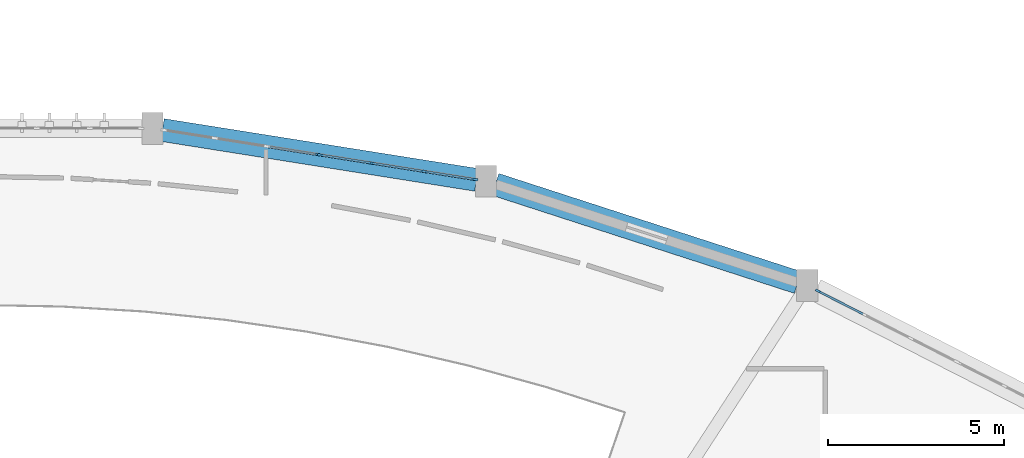
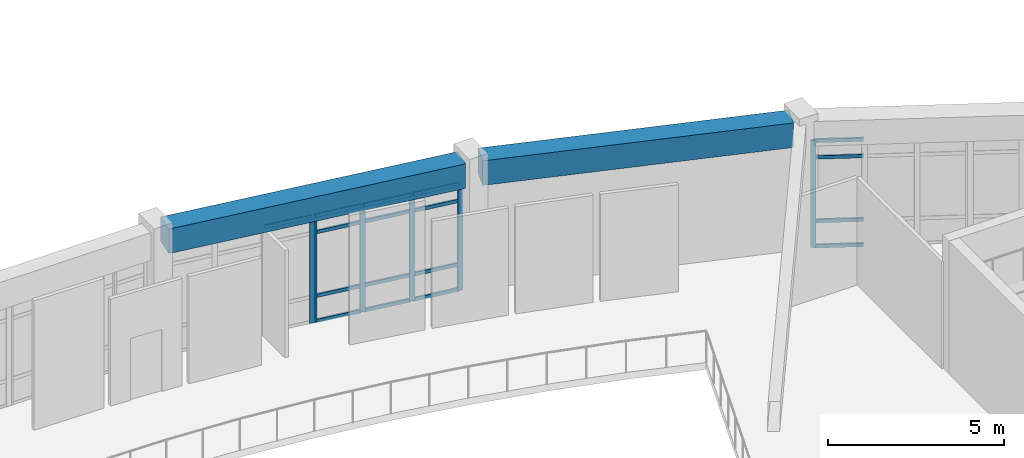
# One storey, part 21 of 65: 23 members, 2 beams, 3 elements without a shape of their own.
"""IFC4 building model written with IfcOpenShell, lengths in metres."""

from ifc_helpers import new_model, si_unit, direction, frame, origin, origin_2d, place, context, subcontext, project, spatial, rectangle, extrude, material, layer, layer_set, material_profile, profile_set, type_object, element, aggregate, save


model = new_model("IFC4")

# Units and contexts
model_context = context("Model", 3, precision=1e-05, world=origin(), true_north=direction((0.0, 1.0)))
body_context = subcontext(model_context, "Body", "Model", "MODEL_VIEW")
ifc_project = project(units=[si_unit("LENGTHUNIT", "METRE"), si_unit("AREAUNIT", "SQUARE_METRE"), si_unit("VOLUMEUNIT", "CUBIC_METRE"), si_unit("PLANEANGLEUNIT", "RADIAN"), si_unit("MASSUNIT", "GRAM", prefix="KILO")], contexts=[model_context])

# Site, building, storey
site_placement = place(None, origin())
site = spatial("IfcSite", under=ifc_project, at=site_placement, CompositionType="ELEMENT")
building_placement = place(site_placement, origin())
building = spatial("IfcBuilding", under=site, at=building_placement, Name="Miralva Faculty of Natural Sciences", CompositionType="ELEMENT")
storey_placement = place(building_placement, frame((0.0, 0.0, 10.199951171875)))
storey = spatial("IfcBuildingStorey", under=building, at=storey_placement, Name="L02", CompositionType="ELEMENT", Elevation=10.199951171875)

# Beams
ifc_material_1 = material(Name="Concrete C40/50", Category="concrete")
ifc_material_profile_1 = material_profile(ifc_material_1, rectangle(XDim=0.64990234375, YDim=0.85009765625, at=origin_2d()), Name="RC 650x850")
ifc_profile_set_1 = profile_set([ifc_material_profile_1], Name="Concrete C40/50")
beam_type = type_object("IfcBeamType", Name="BM-SP03", PredefinedType="SPANDREL", material=ifc_profile_set_1)
beam_1_placement = place(storey_placement, frame((113.077392578125, 35.445068359375, 4.135009765625), z_axis=(-0.951264483171, 0.30837620378, 0.0), x_axis=(-0.30837620378, -0.951264483171, 0.0)))
element("IfcBeam", 1, at=beam_1_placement, inside=storey, type_object=beam_type, Name="Curved chord girder SHOUT L02-3", PredefinedType="SPANDREL", context=body_context, shape_type="SweptSolid", body=[
    extrude(rectangle(XDim=0.64990234375, YDim=0.85009765625, at=origin_2d()), origin(), (0.0, 0.0, 1.0), 9.01416015625),
])
beam_2_placement = place(storey_placement, frame((103.96728515625, 38.353271484375, 4.135009765625), z_axis=(-0.987637724409, 0.156753709124, 0.0), x_axis=(-0.156753709124, -0.987637724409, 0.0)))
element("IfcBeam", 2, at=beam_2_placement, inside=storey, type_object=beam_type, Name="Curved chord girder SHOUT L02-4", PredefinedType="SPANDREL", context=body_context, shape_type="SweptSolid", body=[
    extrude(rectangle(XDim=0.64990234375, YDim=0.85009765625, at=origin_2d()), origin(), (0.0, 0.0, 1.0), 9.016357421875),
])

# Curtain wall, member
ifc_material_2 = material(Name="Laminated solar-control glass", Category="glass")
ifc_layer = layer(ifc_material_2, 0.179931640625, Name="CW-ARC-L01")
ifc_layer_set = layer_set([ifc_layer], Name="Laminated solar-control glass")
curtain_wall_type = type_object("IfcCurtainWallType", Name="CW-ARC-L01", PredefinedType="USERDEFINED", material=ifc_layer_set)
curtain_wall_1_placement = place(storey_placement, origin())
curtain_wall_1 = element("IfcCurtainWall", 3, at=curtain_wall_1_placement, inside=storey, type_object=curtain_wall_type, Name="Curtain wall CW-02 L02-87", ObjectType="UNITISED CURTAIN WALL", PredefinedType="USERDEFINED")
ifc_material_3 = material(Name="Anodised aluminium", Category="aluminium")
ifc_material_profile_2 = material_profile(ifc_material_3, rectangle(XDim=0.06494140625, YDim=0.159912109375, at=origin_2d()), Name="MULLION 65x160")
ifc_profile_set_2 = profile_set([ifc_material_profile_2], Name="Anodised aluminium")
member_type_1 = type_object("IfcMemberType", Name="CW-M02", PredefinedType="MULLION", material=ifc_profile_set_2)
member_1_placement = place(storey_placement, frame((99.48095703125, 39.068359375, 0.0), z_axis=(0.0, 0.0, 1.0), x_axis=(0.15640978572, 0.987692249099, 0.0)))
member_1 = element("IfcMember", 4, at=member_1_placement, type_object=member_type_1, Name="CW-02 mullion 4", PredefinedType="MULLION", context=body_context, shape_type="SweptSolid", body=[
    extrude(rectangle(XDim=0.06494140625, YDim=0.159912109375, at=origin_2d()), origin(), (0.0, 0.0, 1.0), 3.705078125),
])

# Curtain wall, members
curtain_wall_2_placement = place(storey_placement, origin())
curtain_wall_2 = element("IfcCurtainWall", 5, at=curtain_wall_2_placement, inside=storey, type_object=curtain_wall_type, Name="Curtain wall CW-02 L02-88", ObjectType="UNITISED CURTAIN WALL", PredefinedType="USERDEFINED")
member_2_placement = place(storey_placement, frame((99.540283203125, 39.05908203125, 0.0), z_axis=(0.0, 0.0, 1.0), x_axis=(0.156436640476, 0.987687996038, 0.0)))
member_2 = element("IfcMember", 6, at=member_2_placement, type_object=member_type_1, Name="CW-02 mullion 1", PredefinedType="MULLION", context=body_context, shape_type="SweptSolid", body=[
    extrude(rectangle(XDim=0.06494140625, YDim=0.159912109375, at=origin_2d()), origin(), (0.0, 0.0, 1.0), 3.705078125),
])
member_3_placement = place(storey_placement, frame((100.99169921875, 38.8291015625, 0.0), z_axis=(0.0, 0.0, 1.0), x_axis=(0.156436640476, 0.987687996038, 0.0)))
member_3 = element("IfcMember", 7, at=member_3_placement, type_object=member_type_1, Name="CW-02 mullion 2", PredefinedType="MULLION", context=body_context, shape_type="SweptSolid", body=[
    extrude(rectangle(XDim=0.06494140625, YDim=0.159912109375, at=origin_2d()), origin(), (0.0, 0.0, 1.0), 3.705078125),
])
member_4_placement = place(storey_placement, frame((102.47509765625, 38.59423828125, 0.0), z_axis=(0.0, 0.0, 1.0), x_axis=(0.156436640476, 0.987687996038, 0.0)))
member_4 = element("IfcMember", 8, at=member_4_placement, type_object=member_type_1, Name="CW-02 mullion 3", PredefinedType="MULLION", context=body_context, shape_type="SweptSolid", body=[
    extrude(rectangle(XDim=0.06494140625, YDim=0.159912109375, at=origin_2d()), origin(), (0.0, 0.0, 1.0), 3.705078125),
])
member_5_placement = place(storey_placement, frame((103.926513671875, 38.3642578125, 0.0), z_axis=(0.0, 0.0, 1.0), x_axis=(0.156436640476, 0.987687996038, 0.0)))
member_5 = element("IfcMember", 9, at=member_5_placement, type_object=member_type_1, Name="CW-02 mullion 4", PredefinedType="MULLION", context=body_context, shape_type="SweptSolid", body=[
    extrude(rectangle(XDim=0.06494140625, YDim=0.159912109375, at=origin_2d()), origin(), (0.0, 0.0, 1.0), 3.705078125),
])

# Curtain wall, member
curtain_wall_3_placement = place(storey_placement, origin())
curtain_wall_3 = element("IfcCurtainWall", 10, at=curtain_wall_3_placement, inside=storey, type_object=curtain_wall_type, Name="Curtain wall CW-02 L02-89", ObjectType="UNITISED CURTAIN WALL", PredefinedType="USERDEFINED")
member_6_placement = place(storey_placement, frame((113.6533203125, 35.19873046875, 0.0), z_axis=(0.0, 0.0, 1.0), x_axis=(0.453973358631, 0.891015257812, 0.0)))
member_6 = element("IfcMember", 11, at=member_6_placement, type_object=member_type_1, Name="CW-02 mullion 1", PredefinedType="MULLION", context=body_context, shape_type="SweptSolid", body=[
    extrude(rectangle(XDim=0.06494140625, YDim=0.159912109375, at=origin_2d()), origin(), (0.0, 0.0, 1.0), 3.705078125),
])

# Member
ifc_material_profile_3 = material_profile(ifc_material_3, rectangle(XDim=0.06005859375, YDim=0.1201171875, at=origin_2d()), Name="TRANSOM 60x120")
ifc_profile_set_3 = profile_set([ifc_material_profile_3], Name="Anodised aluminium")
member_type_2 = type_object("IfcMemberType", Name="CW-T02", PredefinedType="USERDEFINED", material=ifc_profile_set_3)
member_7_placement = place(storey_placement, frame((98.063232421875, 39.29296875, 3.675048828125), z_axis=(0.987688073971, -0.156436148432, 0.0), x_axis=(0.156436148432, 0.987688073971, 0.0)))
member_7 = element("IfcMember", 12, at=member_7_placement, type_object=member_type_2, Name="CW-02 transom 3.4", ObjectType="TRANSOM", PredefinedType="USERDEFINED", context=body_context, shape_type="SweptSolid", body=[
    extrude(rectangle(XDim=0.06005859375, YDim=0.1201171875, at=origin_2d()), origin(), (0.0, 0.0, 1.0), 1.403076171875),
])

aggregate(curtain_wall_1, [member_1, member_7])

member_8_placement = place(storey_placement, frame((99.572509765625, 39.053955078125, 0.030029296875), z_axis=(0.987686739548, -0.156444573318, 0.0), x_axis=(0.156444573318, 0.987686739548, 0.0)))
member_8 = element("IfcMember", 13, at=member_8_placement, type_object=member_type_2, Name="CW-02 transom 1.1", ObjectType="TRANSOM", PredefinedType="USERDEFINED", context=body_context, shape_type="SweptSolid", body=[
    extrude(rectangle(XDim=0.06005859375, YDim=0.1201171875, at=origin_2d()), origin(), (0.0, 0.0, 1.0), 1.404541015625),
])

member_9_placement = place(storey_placement, frame((99.572509765625, 39.053955078125, 0.900146484375), z_axis=(0.987686739548, -0.156444573318, 0.0), x_axis=(0.156444573318, 0.987686739548, 0.0)))
member_9 = element("IfcMember", 14, at=member_9_placement, type_object=member_type_2, Name="CW-02 transom 1.2", ObjectType="TRANSOM", PredefinedType="USERDEFINED", context=body_context, shape_type="SweptSolid", body=[
    extrude(rectangle(XDim=0.06005859375, YDim=0.1201171875, at=origin_2d()), origin(), (0.0, 0.0, 1.0), 1.404541015625),
])

member_10_placement = place(storey_placement, frame((99.572509765625, 39.053955078125, 3.10498046875), z_axis=(0.987686739548, -0.156444573318, 0.0), x_axis=(0.156444573318, 0.987686739548, 0.0)))
member_10 = element("IfcMember", 15, at=member_10_placement, type_object=member_type_2, Name="CW-02 transom 1.3", ObjectType="TRANSOM", PredefinedType="USERDEFINED", context=body_context, shape_type="SweptSolid", body=[
    extrude(rectangle(XDim=0.06005859375, YDim=0.1201171875, at=origin_2d()), origin(), (0.0, 0.0, 1.0), 1.404541015625),
])

member_11_placement = place(storey_placement, frame((99.572509765625, 39.053955078125, 3.675048828125), z_axis=(0.987686739548, -0.156444573318, 0.0), x_axis=(0.156444573318, 0.987686739548, 0.0)))
member_11 = element("IfcMember", 16, at=member_11_placement, type_object=member_type_2, Name="CW-02 transom 1.4", ObjectType="TRANSOM", PredefinedType="USERDEFINED", context=body_context, shape_type="SweptSolid", body=[
    extrude(rectangle(XDim=0.06005859375, YDim=0.1201171875, at=origin_2d()), origin(), (0.0, 0.0, 1.0), 1.404541015625),
])

member_12_placement = place(storey_placement, frame((101.023681640625, 38.823974609375, 0.030029296875), z_axis=(0.987710566798, -0.156294069738, 0.0), x_axis=(0.156294069738, 0.987710566798, 0.0)))
member_12 = element("IfcMember", 17, at=member_12_placement, type_object=member_type_2, Name="CW-02 transom 2.1", ObjectType="TRANSOM", PredefinedType="USERDEFINED", context=body_context, shape_type="SweptSolid", body=[
    extrude(rectangle(XDim=0.06005859375, YDim=0.1201171875, at=origin_2d()), origin(), (0.0, 0.0, 1.0), 1.43701171875),
])

member_13_placement = place(storey_placement, frame((101.023681640625, 38.823974609375, 0.900146484375), z_axis=(0.987710566798, -0.156294069738, 0.0), x_axis=(0.156294069738, 0.987710566798, 0.0)))
member_13 = element("IfcMember", 18, at=member_13_placement, type_object=member_type_2, Name="CW-02 transom 2.2", ObjectType="TRANSOM", PredefinedType="USERDEFINED", context=body_context, shape_type="SweptSolid", body=[
    extrude(rectangle(XDim=0.06005859375, YDim=0.1201171875, at=origin_2d()), origin(), (0.0, 0.0, 1.0), 1.43701171875),
])

member_14_placement = place(storey_placement, frame((101.023681640625, 38.823974609375, 3.10498046875), z_axis=(0.987710566798, -0.156294069738, 0.0), x_axis=(0.156294069738, 0.987710566798, 0.0)))
member_14 = element("IfcMember", 19, at=member_14_placement, type_object=member_type_2, Name="CW-02 transom 2.3", ObjectType="TRANSOM", PredefinedType="USERDEFINED", context=body_context, shape_type="SweptSolid", body=[
    extrude(rectangle(XDim=0.06005859375, YDim=0.1201171875, at=origin_2d()), origin(), (0.0, 0.0, 1.0), 1.43701171875),
])

member_15_placement = place(storey_placement, frame((101.023681640625, 38.823974609375, 3.675048828125), z_axis=(0.987710566798, -0.156294069738, 0.0), x_axis=(0.156294069738, 0.987710566798, 0.0)))
member_15 = element("IfcMember", 20, at=member_15_placement, type_object=member_type_2, Name="CW-02 transom 2.4", ObjectType="TRANSOM", PredefinedType="USERDEFINED", context=body_context, shape_type="SweptSolid", body=[
    extrude(rectangle(XDim=0.06005859375, YDim=0.1201171875, at=origin_2d()), origin(), (0.0, 0.0, 1.0), 1.43701171875),
])

member_16_placement = place(storey_placement, frame((102.50732421875, 38.589111328125, 0.030029296875), z_axis=(0.987686739548, -0.156444573318, 0.0), x_axis=(0.156444573318, 0.987686739548, 0.0)))
member_16 = element("IfcMember", 21, at=member_16_placement, type_object=member_type_2, Name="CW-02 transom 3.1", ObjectType="TRANSOM", PredefinedType="USERDEFINED", context=body_context, shape_type="SweptSolid", body=[
    extrude(rectangle(XDim=0.06005859375, YDim=0.1201171875, at=origin_2d()), origin(), (0.0, 0.0, 1.0), 1.404541015625),
])

member_17_placement = place(storey_placement, frame((102.50732421875, 38.589111328125, 0.900146484375), z_axis=(0.987686739548, -0.156444573318, 0.0), x_axis=(0.156444573318, 0.987686739548, 0.0)))
member_17 = element("IfcMember", 22, at=member_17_placement, type_object=member_type_2, Name="CW-02 transom 3.2", ObjectType="TRANSOM", PredefinedType="USERDEFINED", context=body_context, shape_type="SweptSolid", body=[
    extrude(rectangle(XDim=0.06005859375, YDim=0.1201171875, at=origin_2d()), origin(), (0.0, 0.0, 1.0), 1.404541015625),
])

member_18_placement = place(storey_placement, frame((102.50732421875, 38.589111328125, 3.10498046875), z_axis=(0.987686739548, -0.156444573318, 0.0), x_axis=(0.156444573318, 0.987686739548, 0.0)))
member_18 = element("IfcMember", 23, at=member_18_placement, type_object=member_type_2, Name="CW-02 transom 3.3", ObjectType="TRANSOM", PredefinedType="USERDEFINED", context=body_context, shape_type="SweptSolid", body=[
    extrude(rectangle(XDim=0.06005859375, YDim=0.1201171875, at=origin_2d()), origin(), (0.0, 0.0, 1.0), 1.404541015625),
])

member_19_placement = place(storey_placement, frame((102.50732421875, 38.589111328125, 3.675048828125), z_axis=(0.987686739548, -0.156444573318, 0.0), x_axis=(0.156444573318, 0.987686739548, 0.0)))
member_19 = element("IfcMember", 24, at=member_19_placement, type_object=member_type_2, Name="CW-02 transom 3.4", ObjectType="TRANSOM", PredefinedType="USERDEFINED", context=body_context, shape_type="SweptSolid", body=[
    extrude(rectangle(XDim=0.06005859375, YDim=0.1201171875, at=origin_2d()), origin(), (0.0, 0.0, 1.0), 1.404541015625),
])

aggregate(curtain_wall_2, [member_2, member_3, member_4, member_5, member_8, member_9, member_10, member_11, member_12, member_13, member_14, member_15, member_16, member_17, member_18, member_19])

member_20_placement = place(storey_placement, frame((113.682373046875, 35.18408203125, 0.030029296875), z_axis=(0.891000699846, -0.454001930474, 0.0), x_axis=(0.454001930474, 0.891000699846, 0.0)))
member_20 = element("IfcMember", 25, at=member_20_placement, type_object=member_type_2, Name="CW-02 transom 1.1", ObjectType="TRANSOM", PredefinedType="USERDEFINED", context=body_context, shape_type="SweptSolid", body=[
    extrude(rectangle(XDim=0.06005859375, YDim=0.1201171875, at=origin_2d()), origin(), (0.0, 0.0, 1.0), 1.392822265625),
])

member_21_placement = place(storey_placement, frame((113.682373046875, 35.18408203125, 0.900146484375), z_axis=(0.891000699846, -0.454001930474, 0.0), x_axis=(0.454001930474, 0.891000699846, 0.0)))
member_21 = element("IfcMember", 26, at=member_21_placement, type_object=member_type_2, Name="CW-02 transom 1.2", ObjectType="TRANSOM", PredefinedType="USERDEFINED", context=body_context, shape_type="SweptSolid", body=[
    extrude(rectangle(XDim=0.06005859375, YDim=0.1201171875, at=origin_2d()), origin(), (0.0, 0.0, 1.0), 1.392822265625),
])

member_22_placement = place(storey_placement, frame((113.682373046875, 35.18408203125, 3.10498046875), z_axis=(0.891000699846, -0.454001930474, 0.0), x_axis=(0.454001930474, 0.891000699846, 0.0)))
member_22 = element("IfcMember", 27, at=member_22_placement, type_object=member_type_2, Name="CW-02 transom 1.3", ObjectType="TRANSOM", PredefinedType="USERDEFINED", context=body_context, shape_type="SweptSolid", body=[
    extrude(rectangle(XDim=0.06005859375, YDim=0.1201171875, at=origin_2d()), origin(), (0.0, 0.0, 1.0), 1.392822265625),
])

member_23_placement = place(storey_placement, frame((113.682373046875, 35.18408203125, 3.675048828125), z_axis=(0.891000699846, -0.454001930474, 0.0), x_axis=(0.454001930474, 0.891000699846, 0.0)))
member_23 = element("IfcMember", 28, at=member_23_placement, type_object=member_type_2, Name="CW-02 transom 1.4", ObjectType="TRANSOM", PredefinedType="USERDEFINED", context=body_context, shape_type="SweptSolid", body=[
    extrude(rectangle(XDim=0.06005859375, YDim=0.1201171875, at=origin_2d()), origin(), (0.0, 0.0, 1.0), 1.392822265625),
])

aggregate(curtain_wall_3, [member_6, member_20, member_21, member_22, member_23])

save(model, "model.ifc")
